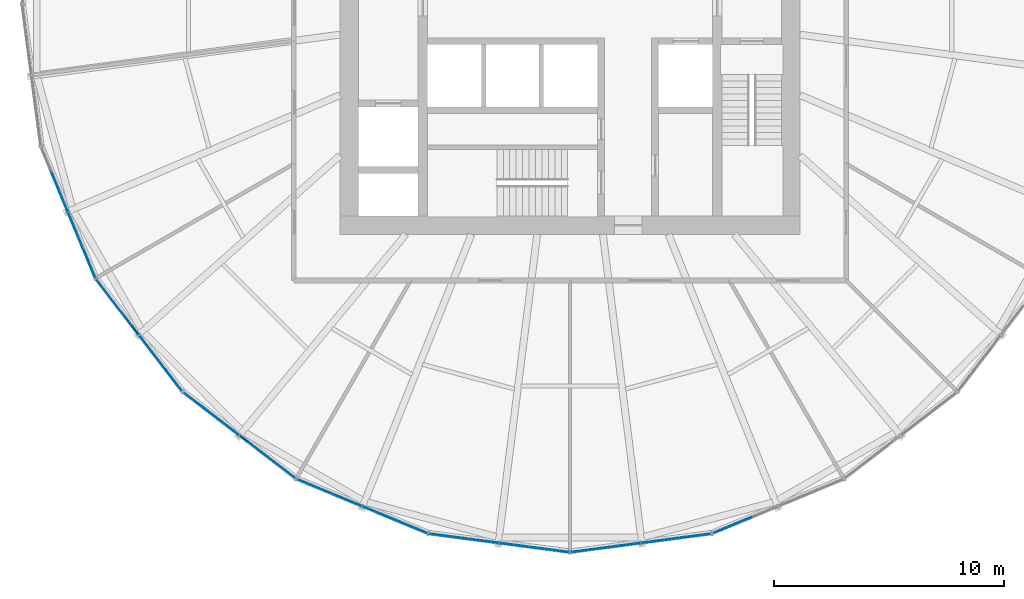
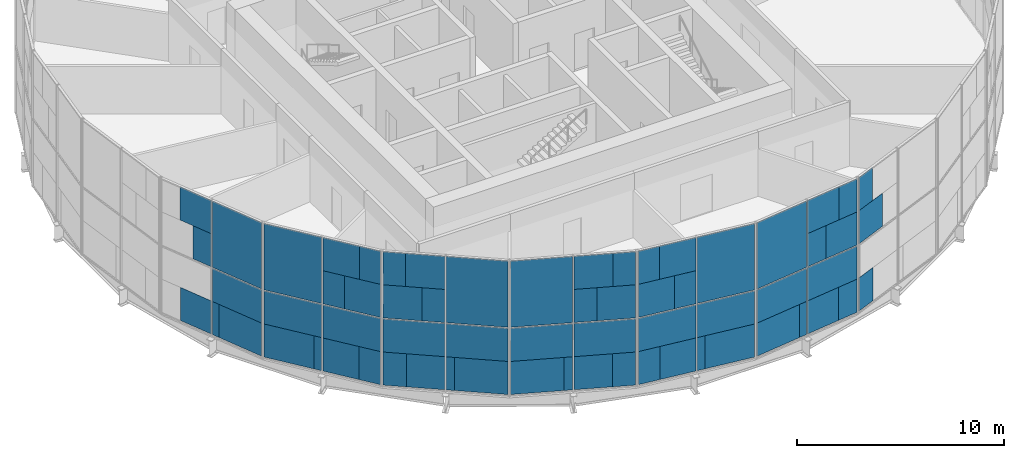
# One storey, part 8 of 18: 65 plates, 7 elements without a shape of their own.
"""IFC4 building model written with IfcOpenShell, lengths in metres."""

from ifc_helpers import new_model, si_unit, direction, frame, origin, origin_2d, place, context, subcontext, project, spatial, rectangle, extrude, material, layer, layer_set, type_object, element, aggregate, save


model = new_model("IFC4")

# Units and contexts
model_context = context("Model", 3, precision=1e-05, world=origin(), true_north=direction((0.0, 1.0)))
body_context = subcontext(model_context, "Body", "Model", "MODEL_VIEW")
ifc_project = project(units=[si_unit("LENGTHUNIT", "METRE"), si_unit("AREAUNIT", "SQUARE_METRE"), si_unit("VOLUMEUNIT", "CUBIC_METRE"), si_unit("PLANEANGLEUNIT", "RADIAN"), si_unit("MASSUNIT", "GRAM", prefix="KILO")], contexts=[model_context])

# Site, building, storey
site_placement = place(None, origin())
site = spatial("IfcSite", under=ifc_project, at=site_placement, CompositionType="ELEMENT")
building_placement = place(site_placement, origin())
building = spatial("IfcBuilding", under=site, at=building_placement, Name="Golbaran Civic Tower", CompositionType="ELEMENT")
storey_placement = place(building_placement, frame((0.0, 0.0, 61.0)))
storey = spatial("IfcBuildingStorey", under=building, at=storey_placement, Name="L14", CompositionType="ELEMENT", Elevation=61.0)

# Curtain wall, plates
ifc_material_1 = material(Name="Aluminium and glass", Category="aluminium")
curtain_wall_type = type_object("IfcCurtainWallType", Name="INNER SKIN CURTAIN WALL", PredefinedType="NOTDEFINED", material=ifc_material_1)
curtain_wall_1_placement = place(storey_placement, origin())
curtain_wall_1 = element("IfcCurtainWall", 1, at=curtain_wall_1_placement, inside=storey, type_object=curtain_wall_type, Name="Inner skin L14 facet 14 CW1", ObjectType="INNER SKIN", PredefinedType="USERDEFINED")
ifc_material_2 = material(Name="Clear insulating glass", Category="glass")
ifc_layer_1 = layer(ifc_material_2, 0.031982421875, Name="Clear insulating glass")
ifc_layer_set_1 = layer_set([ifc_layer_1], Name="Clear insulating glass")
plate_type_1 = type_object("IfcPlateType", Name="INNER SKIN CURTAIN WALL GLAZED PANEL", PredefinedType="CURTAIN_PANEL", material=ifc_layer_set_1)
plate_1_placement = place(storey_placement, frame((-22.04345703125, -8.487060546875, 4.032470703125), z_axis=(0.0, 0.0, 1.0), x_axis=(0.382683432381, -0.923879532505, 0.0)))
plate_1 = element("IfcPlate", 2, at=plate_1_placement, type_object=plate_type_1, Name="CW1 panel 1.2 part 2", PredefinedType="CURTAIN_PANEL", context=body_context, shape_type="SweptSolid", body=[
    extrude(rectangle(XDim=1.124267578125, YDim=0.031982421875, at=origin_2d()), origin(), (0.0, 0.0, 1.0), 1.951171875),
])
plate_2_placement = place(storey_placement, frame((-22.1943359375, -8.12255859375, 5.98388671875), z_axis=(0.0, 0.0, 1.0), x_axis=(0.382683432381, -0.923879532505, 0.0)))
plate_2 = element("IfcPlate", 3, at=plate_2_placement, type_object=plate_type_1, Name="CW1 panel 1.2 part 4", PredefinedType="CURTAIN_PANEL", context=body_context, shape_type="SweptSolid", body=[
    extrude(rectangle(XDim=1.913330078125, YDim=0.031982421875, at=origin_2d()), origin(), (0.0, 0.0, 1.0), 1.951171875),
])
plate_3_placement = place(storey_placement, frame((-21.1484375, -10.647705078125, 0.06494140625), z_axis=(0.0, 0.0, 1.0), x_axis=(0.382683432381, -0.923879532505, 0.0)))
plate_3 = element("IfcPlate", 4, at=plate_3_placement, type_object=plate_type_1, Name="CW1 panel 2.1 part 2", PredefinedType="CURTAIN_PANEL", context=body_context, shape_type="SweptSolid", body=[
    extrude(rectangle(XDim=2.59912109375, YDim=0.031982421875, at=origin_2d()), origin(), (0.0, 0.0, 1.0), 1.951171875),
])
plate_4_placement = place(storey_placement, frame((-21.227294921875, -10.45751953125, 2.016357421875), z_axis=(0.0, 0.0, 1.0), x_axis=(0.382683432381, -0.923879532505, 0.0)))
plate_4 = element("IfcPlate", 5, at=plate_4_placement, type_object=plate_type_1, Name="CW1 panel 2.1 part 3", PredefinedType="CURTAIN_PANEL", context=body_context, shape_type="SweptSolid", body=[
    extrude(rectangle(XDim=3.01123046875, YDim=0.031982421875, at=origin_2d()), origin(), (0.0, 0.0, 1.0), 1.951171875),
])
plate_5_placement = place(storey_placement, frame((-21.227294921875, -10.45751953125, 4.0322265625), z_axis=(0.0, 0.0, 1.0), x_axis=(0.382683432381, -0.923879532505, 0.0)))
plate_5 = element("IfcPlate", 6, at=plate_5_placement, type_object=plate_type_1, Name="CW1 panel 2.2", PredefinedType="CURTAIN_PANEL", context=body_context, shape_type="SweptSolid", body=[
    extrude(rectangle(XDim=3.01123046875, YDim=0.031982421875, at=origin_2d()), origin(), (0.0, 0.0, 1.0), 3.902587890625),
])

curtain_wall_2_placement = place(storey_placement, origin())
curtain_wall_2 = element("IfcCurtainWall", 7, at=curtain_wall_2_placement, inside=storey, type_object=curtain_wall_type, Name="Inner skin L14 facet 15 CW1", ObjectType="INNER SKIN", PredefinedType="USERDEFINED")
plate_6_placement = place(storey_placement, frame((-19.795166015625, -12.991455078125, 0.06494140625), z_axis=(0.0, 0.0, 1.0), x_axis=(0.608761428926, -0.793353340355, 0.0)))
plate_6 = element("IfcPlate", 8, at=plate_6_placement, type_object=plate_type_1, Name="CW1 panel 1.1 part 1", PredefinedType="CURTAIN_PANEL", context=body_context, shape_type="SweptSolid", body=[
    extrude(rectangle(XDim=2.60009765625, YDim=0.031982421875, at=origin_2d()), origin(), (0.0, 0.0, 1.0), 1.951171875),
])
plate_7_placement = place(storey_placement, frame((-19.669921875, -13.154541015625, 2.016357421875), z_axis=(0.0, 0.0, 1.0), x_axis=(0.608761428926, -0.793353340355, 0.0)))
plate_7 = element("IfcPlate", 9, at=plate_7_placement, type_object=plate_type_1, Name="CW1 panel 1.1 part 3", PredefinedType="CURTAIN_PANEL", context=body_context, shape_type="SweptSolid", body=[
    extrude(rectangle(XDim=3.01123046875, YDim=0.031982421875, at=origin_2d()), origin(), (0.0, 0.0, 1.0), 1.951171875),
])
plate_8_placement = place(storey_placement, frame((-19.669921875, -13.154541015625, 4.0322265625), z_axis=(0.0, 0.0, 1.0), x_axis=(0.608761428926, -0.793353340355, 0.0)))
plate_8 = element("IfcPlate", 10, at=plate_8_placement, type_object=plate_type_1, Name="CW1 panel 1.2", PredefinedType="CURTAIN_PANEL", context=body_context, shape_type="SweptSolid", body=[
    extrude(rectangle(XDim=3.01123046875, YDim=0.031982421875, at=origin_2d()), origin(), (0.0, 0.0, 1.0), 3.902587890625),
])
plate_9_placement = place(storey_placement, frame((-17.224365234375, -16.341552734375, 0.06494140625), z_axis=(0.0, 0.0, 1.0), x_axis=(0.608761428926, -0.793353340355, 0.0)))
plate_9 = element("IfcPlate", 11, at=plate_9_placement, type_object=plate_type_1, Name="CW1 panel 2.1 part 2", PredefinedType="CURTAIN_PANEL", context=body_context, shape_type="SweptSolid", body=[
    extrude(rectangle(XDim=1.129150390625, YDim=0.031982421875, at=origin_2d()), origin(), (0.0, 0.0, 1.0), 1.951171875),
])
plate_10_placement = place(storey_placement, frame((-18.371826171875, -14.846435546875, 4.032470703125), z_axis=(0.0, 0.0, 1.0), x_axis=(0.608761428926, -0.793353340355, 0.0)))
plate_10 = element("IfcPlate", 12, at=plate_10_placement, type_object=plate_type_1, Name="CW1 panel 2.2 part 1", PredefinedType="CURTAIN_PANEL", context=body_context, shape_type="SweptSolid", body=[
    extrude(rectangle(XDim=1.1240234375, YDim=0.031982421875, at=origin_2d()), origin(), (0.0, 0.0, 1.0), 1.951171875),
])
plate_11_placement = place(storey_placement, frame((-18.131591796875, -15.159423828125, 5.98388671875), z_axis=(0.0, 0.0, 1.0), x_axis=(0.608761428926, -0.793353340355, 0.0)))
plate_11 = element("IfcPlate", 13, at=plate_11_placement, type_object=plate_type_1, Name="CW1 panel 2.2 part 3", PredefinedType="CURTAIN_PANEL", context=body_context, shape_type="SweptSolid", body=[
    extrude(rectangle(XDim=1.9130859375, YDim=0.031982421875, at=origin_2d()), origin(), (0.0, 0.0, 1.0), 1.951171875),
])

curtain_wall_3_placement = place(storey_placement, origin())
curtain_wall_3 = element("IfcCurtainWall", 14, at=curtain_wall_3_placement, inside=storey, type_object=curtain_wall_type, Name="Inner skin L14 facet 16 CW1", ObjectType="INNER SKIN", PredefinedType="USERDEFINED")
plate_12_placement = place(storey_placement, frame((-16.341796875, -17.224365234375, 0.06494140625), z_axis=(0.0, 0.0, 1.0), x_axis=(0.793353340355, -0.608761428926, 0.0)))
plate_12 = element("IfcPlate", 15, at=plate_12_placement, type_object=plate_type_1, Name="CW1 panel 1.1 part 1", PredefinedType="CURTAIN_PANEL", context=body_context, shape_type="SweptSolid", body=[
    extrude(rectangle(XDim=1.12890625, YDim=0.031982421875, at=origin_2d()), origin(), (0.0, 0.0, 1.0), 1.951171875),
])
plate_13_placement = place(storey_placement, frame((-14.8466796875, -18.37158203125, 4.032470703125), z_axis=(0.0, 0.0, 1.0), x_axis=(0.793353340355, -0.608761428926, 0.0)))
plate_13 = element("IfcPlate", 16, at=plate_13_placement, type_object=plate_type_1, Name="CW1 panel 1.2 part 2", PredefinedType="CURTAIN_PANEL", context=body_context, shape_type="SweptSolid", body=[
    extrude(rectangle(XDim=1.124267578125, YDim=0.031982421875, at=origin_2d()), origin(), (0.0, 0.0, 1.0), 1.951171875),
])
plate_14_placement = place(storey_placement, frame((-15.15966796875, -18.131591796875, 5.98388671875), z_axis=(0.0, 0.0, 1.0), x_axis=(0.793353340355, -0.608761428926, 0.0)))
plate_14 = element("IfcPlate", 17, at=plate_14_placement, type_object=plate_type_1, Name="CW1 panel 1.2 part 4", PredefinedType="CURTAIN_PANEL", context=body_context, shape_type="SweptSolid", body=[
    extrude(rectangle(XDim=1.913330078125, YDim=0.031982421875, at=origin_2d()), origin(), (0.0, 0.0, 1.0), 1.951171875),
])
plate_15_placement = place(storey_placement, frame((-12.9912109375, -19.79541015625, 0.06494140625), z_axis=(0.0, 0.0, 1.0), x_axis=(0.793353340355, -0.608761428926, 0.0)))
plate_15 = element("IfcPlate", 18, at=plate_15_placement, type_object=plate_type_1, Name="CW1 panel 2.1 part 2", PredefinedType="CURTAIN_PANEL", context=body_context, shape_type="SweptSolid", body=[
    extrude(rectangle(XDim=2.59912109375, YDim=0.031982421875, at=origin_2d()), origin(), (0.0, 0.0, 1.0), 1.951171875),
])
plate_16_placement = place(storey_placement, frame((-13.154541015625, -19.669921875, 2.016357421875), z_axis=(0.0, 0.0, 1.0), x_axis=(0.793353340355, -0.608761428926, 0.0)))
plate_16 = element("IfcPlate", 19, at=plate_16_placement, type_object=plate_type_1, Name="CW1 panel 2.1 part 3", PredefinedType="CURTAIN_PANEL", context=body_context, shape_type="SweptSolid", body=[
    extrude(rectangle(XDim=3.01123046875, YDim=0.031982421875, at=origin_2d()), origin(), (0.0, 0.0, 1.0), 1.951171875),
])
plate_17_placement = place(storey_placement, frame((-13.154541015625, -19.669921875, 4.0322265625), z_axis=(0.0, 0.0, 1.0), x_axis=(0.793353340355, -0.608761428926, 0.0)))
plate_17 = element("IfcPlate", 20, at=plate_17_placement, type_object=plate_type_1, Name="CW1 panel 2.2", PredefinedType="CURTAIN_PANEL", context=body_context, shape_type="SweptSolid", body=[
    extrude(rectangle(XDim=3.01123046875, YDim=0.031982421875, at=origin_2d()), origin(), (0.0, 0.0, 1.0), 3.902587890625),
])

curtain_wall_4_placement = place(storey_placement, origin())
curtain_wall_4 = element("IfcCurtainWall", 21, at=curtain_wall_4_placement, inside=storey, type_object=curtain_wall_type, Name="Inner skin L14 facet 17 CW1", ObjectType="INNER SKIN", PredefinedType="USERDEFINED")
plate_18_placement = place(storey_placement, frame((-10.6474609375, -21.1484375, 0.06494140625), z_axis=(0.0, 0.0, 1.0), x_axis=(0.923879532505, -0.382683432381, 0.0)))
plate_18 = element("IfcPlate", 22, at=plate_18_placement, type_object=plate_type_1, Name="CW1 panel 1.1 part 1", PredefinedType="CURTAIN_PANEL", context=body_context, shape_type="SweptSolid", body=[
    extrude(rectangle(XDim=2.60009765625, YDim=0.031982421875, at=origin_2d()), origin(), (0.0, 0.0, 1.0), 1.951171875),
])
plate_19_placement = place(storey_placement, frame((-10.45751953125, -21.227294921875, 2.016357421875), z_axis=(0.0, 0.0, 1.0), x_axis=(0.923879532505, -0.382683432381, 0.0)))
plate_19 = element("IfcPlate", 23, at=plate_19_placement, type_object=plate_type_1, Name="CW1 panel 1.1 part 3", PredefinedType="CURTAIN_PANEL", context=body_context, shape_type="SweptSolid", body=[
    extrude(rectangle(XDim=3.01123046875, YDim=0.031982421875, at=origin_2d()), origin(), (0.0, 0.0, 1.0), 1.951171875),
])
plate_20_placement = place(storey_placement, frame((-10.45751953125, -21.227294921875, 4.0322265625), z_axis=(0.0, 0.0, 1.0), x_axis=(0.923879532505, -0.382683432381, 0.0)))
plate_20 = element("IfcPlate", 24, at=plate_20_placement, type_object=plate_type_1, Name="CW1 panel 1.2", PredefinedType="CURTAIN_PANEL", context=body_context, shape_type="SweptSolid", body=[
    extrude(rectangle(XDim=3.01123046875, YDim=0.031982421875, at=origin_2d()), origin(), (0.0, 0.0, 1.0), 3.902587890625),
])
plate_21_placement = place(storey_placement, frame((-6.74609375, -22.764404296875, 0.06494140625), z_axis=(0.0, 0.0, 1.0), x_axis=(0.923879532505, -0.382683432381, 0.0)))
plate_21 = element("IfcPlate", 25, at=plate_21_placement, type_object=plate_type_1, Name="CW1 panel 2.1 part 2", PredefinedType="CURTAIN_PANEL", context=body_context, shape_type="SweptSolid", body=[
    extrude(rectangle(XDim=1.129150390625, YDim=0.031982421875, at=origin_2d()), origin(), (0.0, 0.0, 1.0), 1.951171875),
])
plate_22_placement = place(storey_placement, frame((-8.487060546875, -22.043212890625, 4.032470703125), z_axis=(0.0, 0.0, 1.0), x_axis=(0.923879532505, -0.382683432381, 0.0)))
plate_22 = element("IfcPlate", 26, at=plate_22_placement, type_object=plate_type_1, Name="CW1 panel 2.2 part 1", PredefinedType="CURTAIN_PANEL", context=body_context, shape_type="SweptSolid", body=[
    extrude(rectangle(XDim=1.1240234375, YDim=0.031982421875, at=origin_2d()), origin(), (0.0, 0.0, 1.0), 1.951171875),
])
plate_23_placement = place(storey_placement, frame((-8.12255859375, -22.1943359375, 5.98388671875), z_axis=(0.0, 0.0, 1.0), x_axis=(0.923879532505, -0.382683432381, 0.0)))
plate_23 = element("IfcPlate", 27, at=plate_23_placement, type_object=plate_type_1, Name="CW1 panel 2.2 part 3", PredefinedType="CURTAIN_PANEL", context=body_context, shape_type="SweptSolid", body=[
    extrude(rectangle(XDim=1.9130859375, YDim=0.031982421875, at=origin_2d()), origin(), (0.0, 0.0, 1.0), 1.951171875),
])

curtain_wall_5_placement = place(storey_placement, origin())
curtain_wall_5 = element("IfcCurtainWall", 28, at=curtain_wall_5_placement, inside=storey, type_object=curtain_wall_type, Name="Inner skin L14 facet 18 CW1", ObjectType="INNER SKIN", PredefinedType="USERDEFINED")
plate_24_placement = place(storey_placement, frame((-5.540283203125, -23.087646484375, 0.06494140625), z_axis=(0.0, 0.0, 1.0), x_axis=(0.991444861378, -0.130526192185, 0.0)))
plate_24 = element("IfcPlate", 29, at=plate_24_placement, type_object=plate_type_1, Name="CW1 panel 1.1 part 1", PredefinedType="CURTAIN_PANEL", context=body_context, shape_type="SweptSolid", body=[
    extrude(rectangle(XDim=1.12890625, YDim=0.031982421875, at=origin_2d()), origin(), (0.0, 0.0, 1.0), 1.951171875),
])
plate_25_placement = place(storey_placement, frame((-3.671630859375, -23.33349609375, 4.032470703125), z_axis=(0.0, 0.0, 1.0), x_axis=(0.991444861378, -0.130526192185, 0.0)))
plate_25 = element("IfcPlate", 30, at=plate_25_placement, type_object=plate_type_1, Name="CW1 panel 1.2 part 2", PredefinedType="CURTAIN_PANEL", context=body_context, shape_type="SweptSolid", body=[
    extrude(rectangle(XDim=1.124267578125, YDim=0.031982421875, at=origin_2d()), origin(), (0.0, 0.0, 1.0), 1.951171875),
])
plate_26_placement = place(storey_placement, frame((-4.062744140625, -23.2822265625, 5.98388671875), z_axis=(0.0, 0.0, 1.0), x_axis=(0.991444861378, -0.130526192185, 0.0)))
plate_26 = element("IfcPlate", 31, at=plate_26_placement, type_object=plate_type_1, Name="CW1 panel 1.2 part 4", PredefinedType="CURTAIN_PANEL", context=body_context, shape_type="SweptSolid", body=[
    extrude(rectangle(XDim=1.913330078125, YDim=0.031982421875, at=origin_2d()), origin(), (0.0, 0.0, 1.0), 1.951171875),
])
plate_27_placement = place(storey_placement, frame((-1.35302734375, -23.638916015625, 0.06494140625), z_axis=(0.0, 0.0, 1.0), x_axis=(0.991444861378, -0.130526192185, 0.0)))
plate_27 = element("IfcPlate", 32, at=plate_27_placement, type_object=plate_type_1, Name="CW1 panel 2.1 part 2", PredefinedType="CURTAIN_PANEL", context=body_context, shape_type="SweptSolid", body=[
    extrude(rectangle(XDim=2.59912109375, YDim=0.031982421875, at=origin_2d()), origin(), (0.0, 0.0, 1.0), 1.951171875),
])
plate_28_placement = place(storey_placement, frame((-1.55712890625, -23.612060546875, 2.016357421875), z_axis=(0.0, 0.0, 1.0), x_axis=(0.991444861378, -0.130526192185, 0.0)))
plate_28 = element("IfcPlate", 33, at=plate_28_placement, type_object=plate_type_1, Name="CW1 panel 2.1 part 3", PredefinedType="CURTAIN_PANEL", context=body_context, shape_type="SweptSolid", body=[
    extrude(rectangle(XDim=3.01123046875, YDim=0.031982421875, at=origin_2d()), origin(), (0.0, 0.0, 1.0), 1.951171875),
])
plate_29_placement = place(storey_placement, frame((-1.55712890625, -23.612060546875, 4.0322265625), z_axis=(0.0, 0.0, 1.0), x_axis=(0.991444861378, -0.130526192185, 0.0)))
plate_29 = element("IfcPlate", 34, at=plate_29_placement, type_object=plate_type_1, Name="CW1 panel 2.2", PredefinedType="CURTAIN_PANEL", context=body_context, shape_type="SweptSolid", body=[
    extrude(rectangle(XDim=3.01123046875, YDim=0.031982421875, at=origin_2d()), origin(), (0.0, 0.0, 1.0), 3.902587890625),
])

curtain_wall_6_placement = place(storey_placement, origin())
curtain_wall_6 = element("IfcCurtainWall", 35, at=curtain_wall_6_placement, inside=storey, type_object=curtain_wall_type, Name="Inner skin L14 facet 19 CW1", ObjectType="INNER SKIN", PredefinedType="USERDEFINED")
plate_30_placement = place(storey_placement, frame((1.353271484375, -23.638916015625, 0.06494140625), z_axis=(0.0, 0.0, 1.0), x_axis=(0.991444861378, 0.130526192185, 0.0)))
plate_30 = element("IfcPlate", 36, at=plate_30_placement, type_object=plate_type_1, Name="CW1 panel 1.1 part 1", PredefinedType="CURTAIN_PANEL", context=body_context, shape_type="SweptSolid", body=[
    extrude(rectangle(XDim=2.60009765625, YDim=0.031982421875, at=origin_2d()), origin(), (0.0, 0.0, 1.0), 1.951171875),
])
plate_31_placement = place(storey_placement, frame((1.55712890625, -23.612060546875, 2.016357421875), z_axis=(0.0, 0.0, 1.0), x_axis=(0.991444861378, 0.130526192185, 0.0)))
plate_31 = element("IfcPlate", 37, at=plate_31_placement, type_object=plate_type_1, Name="CW1 panel 1.1 part 3", PredefinedType="CURTAIN_PANEL", context=body_context, shape_type="SweptSolid", body=[
    extrude(rectangle(XDim=3.01123046875, YDim=0.031982421875, at=origin_2d()), origin(), (0.0, 0.0, 1.0), 1.951171875),
])
plate_32_placement = place(storey_placement, frame((1.55712890625, -23.612060546875, 4.0322265625), z_axis=(0.0, 0.0, 1.0), x_axis=(0.991444861378, 0.130526192185, 0.0)))
plate_32 = element("IfcPlate", 38, at=plate_32_placement, type_object=plate_type_1, Name="CW1 panel 1.2", PredefinedType="CURTAIN_PANEL", context=body_context, shape_type="SweptSolid", body=[
    extrude(rectangle(XDim=3.01123046875, YDim=0.031982421875, at=origin_2d()), origin(), (0.0, 0.0, 1.0), 3.902587890625),
])
plate_33_placement = place(storey_placement, frame((5.5400390625, -23.087646484375, 0.06494140625), z_axis=(0.0, 0.0, 1.0), x_axis=(0.991444861378, 0.130526192185, 0.0)))
plate_33 = element("IfcPlate", 39, at=plate_33_placement, type_object=plate_type_1, Name="CW1 panel 2.1 part 2", PredefinedType="CURTAIN_PANEL", context=body_context, shape_type="SweptSolid", body=[
    extrude(rectangle(XDim=1.129150390625, YDim=0.031982421875, at=origin_2d()), origin(), (0.0, 0.0, 1.0), 1.951171875),
])
plate_34_placement = place(storey_placement, frame((3.671630859375, -23.333740234375, 4.032470703125), z_axis=(0.0, 0.0, 1.0), x_axis=(0.991444861378, 0.130526192185, 0.0)))
plate_34 = element("IfcPlate", 40, at=plate_34_placement, type_object=plate_type_1, Name="CW1 panel 2.2 part 1", PredefinedType="CURTAIN_PANEL", context=body_context, shape_type="SweptSolid", body=[
    extrude(rectangle(XDim=1.1240234375, YDim=0.031982421875, at=origin_2d()), origin(), (0.0, 0.0, 1.0), 1.951171875),
])
plate_35_placement = place(storey_placement, frame((4.062744140625, -23.2822265625, 5.98388671875), z_axis=(0.0, 0.0, 1.0), x_axis=(0.991444861378, 0.130526192185, 0.0)))
plate_35 = element("IfcPlate", 41, at=plate_35_placement, type_object=plate_type_1, Name="CW1 panel 2.2 part 3", PredefinedType="CURTAIN_PANEL", context=body_context, shape_type="SweptSolid", body=[
    extrude(rectangle(XDim=1.9130859375, YDim=0.031982421875, at=origin_2d()), origin(), (0.0, 0.0, 1.0), 1.951171875),
])

# Curtain wall, plate
curtain_wall_7_placement = place(storey_placement, origin())
curtain_wall_7 = element("IfcCurtainWall", 42, at=curtain_wall_7_placement, inside=storey, type_object=curtain_wall_type, Name="Inner skin L14 facet 20 CW1", ObjectType="INNER SKIN", PredefinedType="USERDEFINED")
plate_36_placement = place(storey_placement, frame((6.745849609375, -22.7646484375, 0.06494140625), z_axis=(0.0, 0.0, 1.0), x_axis=(0.923879532505, 0.382683432381, 0.0)))
plate_36 = element("IfcPlate", 43, at=plate_36_placement, type_object=plate_type_1, Name="CW1 panel 1.1 part 1", PredefinedType="CURTAIN_PANEL", context=body_context, shape_type="SweptSolid", body=[
    extrude(rectangle(XDim=1.12890625, YDim=0.031982421875, at=origin_2d()), origin(), (0.0, 0.0, 1.0), 1.951171875),
])

# Plate
ifc_material_3 = material(Name="Aluminium faced opaque infill panel", Category="aluminium")
ifc_layer_2 = layer(ifc_material_3, 0.031982421875, Name="Aluminium faced opaque infill panel")
ifc_layer_set_2 = layer_set([ifc_layer_2], Name="Aluminium faced opaque infill panel")
plate_type_2 = type_object("IfcPlateType", Name="INNER SKIN CURTAIN WALL OPAQUE INFILL PANEL", PredefinedType="CURTAIN_PANEL", material=ifc_layer_set_2)
plate_37_placement = place(storey_placement, frame((-22.1884765625, -8.136962890625, 0.06494140625), z_axis=(0.0, 0.0, 1.0), x_axis=(0.382683432381, -0.923879532505, 0.0)))
plate_37 = element("IfcPlate", 44, at=plate_37_placement, type_object=plate_type_2, Name="CW1 infill panel 1.1 part 2", PredefinedType="CURTAIN_PANEL", context=body_context, shape_type="SweptSolid", body=[
    extrude(rectangle(XDim=1.88232421875, YDim=0.031982421875, at=origin_2d()), origin(), (0.0, 0.0, 1.0), 1.951171875),
])

plate_38_placement = place(storey_placement, frame((-21.724609375, -9.2568359375, 0.06494140625), z_axis=(0.0, 0.0, 1.0), x_axis=(0.382683432381, -0.923879532505, 0.0)))
plate_38 = element("IfcPlate", 45, at=plate_38_placement, type_object=plate_type_2, Name="CW1 infill panel 2.1 part 1", PredefinedType="CURTAIN_PANEL", context=body_context, shape_type="SweptSolid", body=[
    extrude(rectangle(XDim=0.412109375, YDim=0.031982421875, at=origin_2d()), origin(), (0.0, 0.0, 1.0), 1.951171875),
])

aggregate(curtain_wall_1, [plate_37, plate_1, plate_2, plate_38, plate_3, plate_4, plate_5])

plate_39_placement = place(storey_placement, frame((-18.878662109375, -14.18603515625, 0.06494140625), z_axis=(0.0, 0.0, 1.0), x_axis=(0.608761428926, -0.793353340355, 0.0)))
plate_39 = element("IfcPlate", 46, at=plate_39_placement, type_object=plate_type_2, Name="CW1 infill panel 1.1 part 2", PredefinedType="CURTAIN_PANEL", context=body_context, shape_type="SweptSolid", body=[
    extrude(rectangle(XDim=0.4111328125, YDim=0.031982421875, at=origin_2d()), origin(), (0.0, 0.0, 1.0), 1.951171875),
])

plate_40_placement = place(storey_placement, frame((-18.14111328125, -15.147216796875, 0.06494140625), z_axis=(0.0, 0.0, 1.0), x_axis=(0.608761428926, -0.793353340355, 0.0)))
plate_40 = element("IfcPlate", 47, at=plate_40_placement, type_object=plate_type_2, Name="CW1 infill panel 2.1 part 1", PredefinedType="CURTAIN_PANEL", context=body_context, shape_type="SweptSolid", body=[
    extrude(rectangle(XDim=1.882080078125, YDim=0.031982421875, at=origin_2d()), origin(), (0.0, 0.0, 1.0), 1.951171875),
])

plate_41_placement = place(storey_placement, frame((-17.79736328125, -15.59521484375, 2.016357421875), z_axis=(0.0, 0.0, 1.0), x_axis=(0.608761428926, -0.793353340355, 0.0)))
plate_41 = element("IfcPlate", 48, at=plate_41_placement, type_object=plate_type_2, Name="CW1 infill panel 2.1 part 3", PredefinedType="CURTAIN_PANEL", context=body_context, shape_type="SweptSolid", body=[
    extrude(rectangle(XDim=3.01123046875, YDim=0.031982421875, at=origin_2d()), origin(), (0.0, 0.0, 1.0), 1.951171875),
])

plate_42_placement = place(storey_placement, frame((-17.455078125, -16.041015625, 4.032470703125), z_axis=(0.0, 0.0, 1.0), x_axis=(0.608761428926, -0.793353340355, 0.0)))
plate_42 = element("IfcPlate", 49, at=plate_42_placement, type_object=plate_type_2, Name="CW1 infill panel 2.2 part 2", PredefinedType="CURTAIN_PANEL", context=body_context, shape_type="SweptSolid", body=[
    extrude(rectangle(XDim=1.88720703125, YDim=0.031982421875, at=origin_2d()), origin(), (0.0, 0.0, 1.0), 1.951171875),
])

plate_43_placement = place(storey_placement, frame((-17.215087890625, -16.35400390625, 5.98388671875), z_axis=(0.0, 0.0, 1.0), x_axis=(0.608761428926, -0.793353340355, 0.0)))
plate_43 = element("IfcPlate", 50, at=plate_43_placement, type_object=plate_type_2, Name="CW1 infill panel 2.2 part 4", PredefinedType="CURTAIN_PANEL", context=body_context, shape_type="SweptSolid", body=[
    extrude(rectangle(XDim=1.09814453125, YDim=0.031982421875, at=origin_2d()), origin(), (0.0, 0.0, 1.0), 1.951171875),
])

aggregate(curtain_wall_2, [plate_6, plate_39, plate_7, plate_8, plate_40, plate_9, plate_41, plate_10, plate_42, plate_11, plate_43])

plate_44_placement = place(storey_placement, frame((-15.147216796875, -18.140869140625, 0.06494140625), z_axis=(0.0, 0.0, 1.0), x_axis=(0.793353340355, -0.608761428926, 0.0)))
plate_44 = element("IfcPlate", 51, at=plate_44_placement, type_object=plate_type_2, Name="CW1 infill panel 1.1 part 2", PredefinedType="CURTAIN_PANEL", context=body_context, shape_type="SweptSolid", body=[
    extrude(rectangle(XDim=1.88232421875, YDim=0.031982421875, at=origin_2d()), origin(), (0.0, 0.0, 1.0), 1.951171875),
])

plate_45_placement = place(storey_placement, frame((-15.59521484375, -17.79736328125, 2.016357421875), z_axis=(0.0, 0.0, 1.0), x_axis=(0.793353340355, -0.608761428926, 0.0)))
plate_45 = element("IfcPlate", 52, at=plate_45_placement, type_object=plate_type_2, Name="CW1 infill panel 1.1 part 3", PredefinedType="CURTAIN_PANEL", context=body_context, shape_type="SweptSolid", body=[
    extrude(rectangle(XDim=3.01123046875, YDim=0.031982421875, at=origin_2d()), origin(), (0.0, 0.0, 1.0), 1.951171875),
])

plate_46_placement = place(storey_placement, frame((-16.041015625, -17.455078125, 4.032470703125), z_axis=(0.0, 0.0, 1.0), x_axis=(0.793353340355, -0.608761428926, 0.0)))
plate_46 = element("IfcPlate", 53, at=plate_46_placement, type_object=plate_type_2, Name="CW1 infill panel 1.2 part 1", PredefinedType="CURTAIN_PANEL", context=body_context, shape_type="SweptSolid", body=[
    extrude(rectangle(XDim=1.886962890625, YDim=0.031982421875, at=origin_2d()), origin(), (0.0, 0.0, 1.0), 1.951171875),
])

plate_47_placement = place(storey_placement, frame((-16.35400390625, -17.21484375, 5.98388671875), z_axis=(0.0, 0.0, 1.0), x_axis=(0.793353340355, -0.608761428926, 0.0)))
plate_47 = element("IfcPlate", 54, at=plate_47_placement, type_object=plate_type_2, Name="CW1 infill panel 1.2 part 3", PredefinedType="CURTAIN_PANEL", context=body_context, shape_type="SweptSolid", body=[
    extrude(rectangle(XDim=1.097900390625, YDim=0.031982421875, at=origin_2d()), origin(), (0.0, 0.0, 1.0), 1.951171875),
])

plate_48_placement = place(storey_placement, frame((-14.185546875, -18.87890625, 0.06494140625), z_axis=(0.0, 0.0, 1.0), x_axis=(0.793353340355, -0.608761428926, 0.0)))
plate_48 = element("IfcPlate", 55, at=plate_48_placement, type_object=plate_type_2, Name="CW1 infill panel 2.1 part 1", PredefinedType="CURTAIN_PANEL", context=body_context, shape_type="SweptSolid", body=[
    extrude(rectangle(XDim=0.412109375, YDim=0.031982421875, at=origin_2d()), origin(), (0.0, 0.0, 1.0), 1.951171875),
])

aggregate(curtain_wall_3, [plate_12, plate_44, plate_45, plate_46, plate_13, plate_47, plate_14, plate_48, plate_15, plate_16, plate_17])

plate_49_placement = place(storey_placement, frame((-9.25634765625, -21.724609375, 0.06494140625), z_axis=(0.0, 0.0, 1.0), x_axis=(0.923879532505, -0.382683432381, 0.0)))
plate_49 = element("IfcPlate", 56, at=plate_49_placement, type_object=plate_type_2, Name="CW1 infill panel 1.1 part 2", PredefinedType="CURTAIN_PANEL", context=body_context, shape_type="SweptSolid", body=[
    extrude(rectangle(XDim=0.4111328125, YDim=0.031982421875, at=origin_2d()), origin(), (0.0, 0.0, 1.0), 1.951171875),
])

plate_50_placement = place(storey_placement, frame((-8.136962890625, -22.188232421875, 0.06494140625), z_axis=(0.0, 0.0, 1.0), x_axis=(0.923879532505, -0.382683432381, 0.0)))
plate_50 = element("IfcPlate", 57, at=plate_50_placement, type_object=plate_type_2, Name="CW1 infill panel 2.1 part 1", PredefinedType="CURTAIN_PANEL", context=body_context, shape_type="SweptSolid", body=[
    extrude(rectangle(XDim=1.882080078125, YDim=0.031982421875, at=origin_2d()), origin(), (0.0, 0.0, 1.0), 1.951171875),
])

plate_51_placement = place(storey_placement, frame((-7.615478515625, -22.404296875, 2.016357421875), z_axis=(0.0, 0.0, 1.0), x_axis=(0.923879532505, -0.382683432381, 0.0)))
plate_51 = element("IfcPlate", 58, at=plate_51_placement, type_object=plate_type_2, Name="CW1 infill panel 2.1 part 3", PredefinedType="CURTAIN_PANEL", context=body_context, shape_type="SweptSolid", body=[
    extrude(rectangle(XDim=3.01123046875, YDim=0.031982421875, at=origin_2d()), origin(), (0.0, 0.0, 1.0), 1.951171875),
])

plate_52_placement = place(storey_placement, frame((-7.09619140625, -22.619384765625, 4.032470703125), z_axis=(0.0, 0.0, 1.0), x_axis=(0.923879532505, -0.382683432381, 0.0)))
plate_52 = element("IfcPlate", 59, at=plate_52_placement, type_object=plate_type_2, Name="CW1 infill panel 2.2 part 2", PredefinedType="CURTAIN_PANEL", context=body_context, shape_type="SweptSolid", body=[
    extrude(rectangle(XDim=1.88720703125, YDim=0.031982421875, at=origin_2d()), origin(), (0.0, 0.0, 1.0), 1.951171875),
])

plate_53_placement = place(storey_placement, frame((-6.731689453125, -22.7705078125, 5.98388671875), z_axis=(0.0, 0.0, 1.0), x_axis=(0.923879532505, -0.382683432381, 0.0)))
plate_53 = element("IfcPlate", 60, at=plate_53_placement, type_object=plate_type_2, Name="CW1 infill panel 2.2 part 4", PredefinedType="CURTAIN_PANEL", context=body_context, shape_type="SweptSolid", body=[
    extrude(rectangle(XDim=1.09814453125, YDim=0.031982421875, at=origin_2d()), origin(), (0.0, 0.0, 1.0), 1.951171875),
])

aggregate(curtain_wall_4, [plate_18, plate_49, plate_19, plate_20, plate_50, plate_21, plate_51, plate_22, plate_52, plate_23, plate_53])

plate_54_placement = place(storey_placement, frame((-4.04736328125, -23.2841796875, 0.06494140625), z_axis=(0.0, 0.0, 1.0), x_axis=(0.991444861378, -0.130526192185, 0.0)))
plate_54 = element("IfcPlate", 61, at=plate_54_placement, type_object=plate_type_2, Name="CW1 infill panel 1.1 part 2", PredefinedType="CURTAIN_PANEL", context=body_context, shape_type="SweptSolid", body=[
    extrude(rectangle(XDim=1.88232421875, YDim=0.031982421875, at=origin_2d()), origin(), (0.0, 0.0, 1.0), 1.951171875),
])

plate_55_placement = place(storey_placement, frame((-4.607177734375, -23.21044921875, 2.016357421875), z_axis=(0.0, 0.0, 1.0), x_axis=(0.991444861378, -0.130526192185, 0.0)))
plate_55 = element("IfcPlate", 62, at=plate_55_placement, type_object=plate_type_2, Name="CW1 infill panel 1.1 part 3", PredefinedType="CURTAIN_PANEL", context=body_context, shape_type="SweptSolid", body=[
    extrude(rectangle(XDim=3.01123046875, YDim=0.031982421875, at=origin_2d()), origin(), (0.0, 0.0, 1.0), 1.951171875),
])

plate_56_placement = place(storey_placement, frame((-5.164306640625, -23.13720703125, 4.032470703125), z_axis=(0.0, 0.0, 1.0), x_axis=(0.991444861378, -0.130526192185, 0.0)))
plate_56 = element("IfcPlate", 63, at=plate_56_placement, type_object=plate_type_2, Name="CW1 infill panel 1.2 part 1", PredefinedType="CURTAIN_PANEL", context=body_context, shape_type="SweptSolid", body=[
    extrude(rectangle(XDim=1.886962890625, YDim=0.031982421875, at=origin_2d()), origin(), (0.0, 0.0, 1.0), 1.951171875),
])

plate_57_placement = place(storey_placement, frame((-5.5556640625, -23.085693359375, 5.98388671875), z_axis=(0.0, 0.0, 1.0), x_axis=(0.991444861378, -0.130526192185, 0.0)))
plate_57 = element("IfcPlate", 64, at=plate_57_placement, type_object=plate_type_2, Name="CW1 infill panel 1.2 part 3", PredefinedType="CURTAIN_PANEL", context=body_context, shape_type="SweptSolid", body=[
    extrude(rectangle(XDim=1.097900390625, YDim=0.031982421875, at=origin_2d()), origin(), (0.0, 0.0, 1.0), 1.951171875),
])

plate_58_placement = place(storey_placement, frame((-2.845703125, -23.4423828125, 0.06494140625), z_axis=(0.0, 0.0, 1.0), x_axis=(0.991444861378, -0.130526192185, 0.0)))
plate_58 = element("IfcPlate", 65, at=plate_58_placement, type_object=plate_type_2, Name="CW1 infill panel 2.1 part 1", PredefinedType="CURTAIN_PANEL", context=body_context, shape_type="SweptSolid", body=[
    extrude(rectangle(XDim=0.412109375, YDim=0.031982421875, at=origin_2d()), origin(), (0.0, 0.0, 1.0), 1.951171875),
])

aggregate(curtain_wall_5, [plate_24, plate_54, plate_55, plate_56, plate_25, plate_57, plate_26, plate_58, plate_27, plate_28, plate_29])

plate_59_placement = place(storey_placement, frame((2.845947265625, -23.4423828125, 0.06494140625), z_axis=(0.0, 0.0, 1.0), x_axis=(0.991444861378, 0.130526192185, 0.0)))
plate_59 = element("IfcPlate", 66, at=plate_59_placement, type_object=plate_type_2, Name="CW1 infill panel 1.1 part 2", PredefinedType="CURTAIN_PANEL", context=body_context, shape_type="SweptSolid", body=[
    extrude(rectangle(XDim=0.4111328125, YDim=0.031982421875, at=origin_2d()), origin(), (0.0, 0.0, 1.0), 1.951171875),
])

plate_60_placement = place(storey_placement, frame((4.04736328125, -23.2841796875, 0.06494140625), z_axis=(0.0, 0.0, 1.0), x_axis=(0.991444861378, 0.130526192185, 0.0)))
plate_60 = element("IfcPlate", 67, at=plate_60_placement, type_object=plate_type_2, Name="CW1 infill panel 2.1 part 1", PredefinedType="CURTAIN_PANEL", context=body_context, shape_type="SweptSolid", body=[
    extrude(rectangle(XDim=1.882080078125, YDim=0.031982421875, at=origin_2d()), origin(), (0.0, 0.0, 1.0), 1.951171875),
])

plate_61_placement = place(storey_placement, frame((4.607177734375, -23.21044921875, 2.016357421875), z_axis=(0.0, 0.0, 1.0), x_axis=(0.991444861378, 0.130526192185, 0.0)))
plate_61 = element("IfcPlate", 68, at=plate_61_placement, type_object=plate_type_2, Name="CW1 infill panel 2.1 part 3", PredefinedType="CURTAIN_PANEL", context=body_context, shape_type="SweptSolid", body=[
    extrude(rectangle(XDim=3.01123046875, YDim=0.031982421875, at=origin_2d()), origin(), (0.0, 0.0, 1.0), 1.951171875),
])

plate_62_placement = place(storey_placement, frame((5.164306640625, -23.13720703125, 4.032470703125), z_axis=(0.0, 0.0, 1.0), x_axis=(0.991444861378, 0.130526192185, 0.0)))
plate_62 = element("IfcPlate", 69, at=plate_62_placement, type_object=plate_type_2, Name="CW1 infill panel 2.2 part 2", PredefinedType="CURTAIN_PANEL", context=body_context, shape_type="SweptSolid", body=[
    extrude(rectangle(XDim=1.88720703125, YDim=0.031982421875, at=origin_2d()), origin(), (0.0, 0.0, 1.0), 1.951171875),
])

plate_63_placement = place(storey_placement, frame((5.555419921875, -23.085693359375, 5.98388671875), z_axis=(0.0, 0.0, 1.0), x_axis=(0.991444861378, 0.130526192185, 0.0)))
plate_63 = element("IfcPlate", 70, at=plate_63_placement, type_object=plate_type_2, Name="CW1 infill panel 2.2 part 4", PredefinedType="CURTAIN_PANEL", context=body_context, shape_type="SweptSolid", body=[
    extrude(rectangle(XDim=1.09814453125, YDim=0.031982421875, at=origin_2d()), origin(), (0.0, 0.0, 1.0), 1.951171875),
])

aggregate(curtain_wall_6, [plate_30, plate_59, plate_31, plate_32, plate_60, plate_33, plate_61, plate_34, plate_62, plate_35, plate_63])

plate_64_placement = place(storey_placement, frame((7.095947265625, -22.61962890625, 4.032470703125), z_axis=(0.0, 0.0, 1.0), x_axis=(0.923879532505, 0.382683432381, 0.0)))
plate_64 = element("IfcPlate", 71, at=plate_64_placement, type_object=plate_type_2, Name="CW1 infill panel 1.2 part 1", PredefinedType="CURTAIN_PANEL", context=body_context, shape_type="SweptSolid", body=[
    extrude(rectangle(XDim=1.886962890625, YDim=0.031982421875, at=origin_2d()), origin(), (0.0, 0.0, 1.0), 1.951171875),
])

plate_65_placement = place(storey_placement, frame((6.7314453125, -22.7705078125, 5.98388671875), z_axis=(0.0, 0.0, 1.0), x_axis=(0.923879532505, 0.382683432381, 0.0)))
plate_65 = element("IfcPlate", 72, at=plate_65_placement, type_object=plate_type_2, Name="CW1 infill panel 1.2 part 3", PredefinedType="CURTAIN_PANEL", context=body_context, shape_type="SweptSolid", body=[
    extrude(rectangle(XDim=1.097900390625, YDim=0.031982421875, at=origin_2d()), origin(), (0.0, 0.0, 1.0), 1.951171875),
])

aggregate(curtain_wall_7, [plate_36, plate_64, plate_65])

save(model, "model.ifc")
